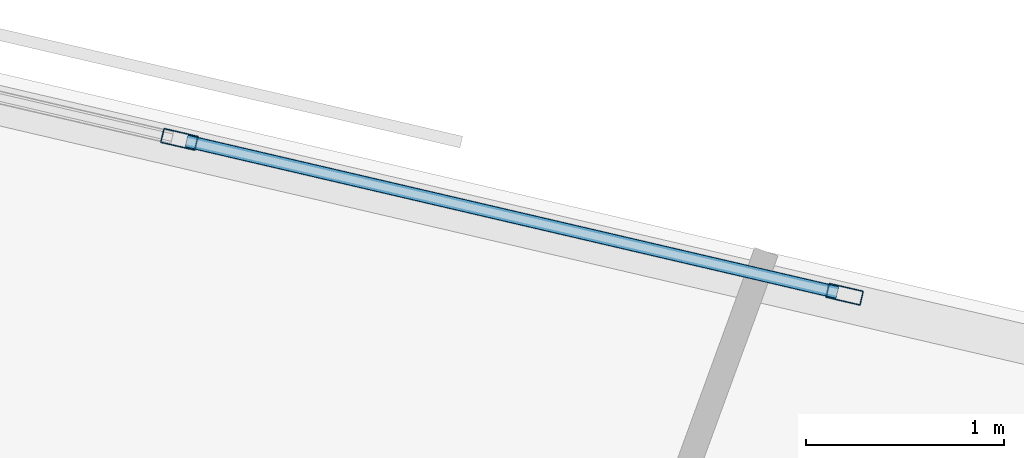
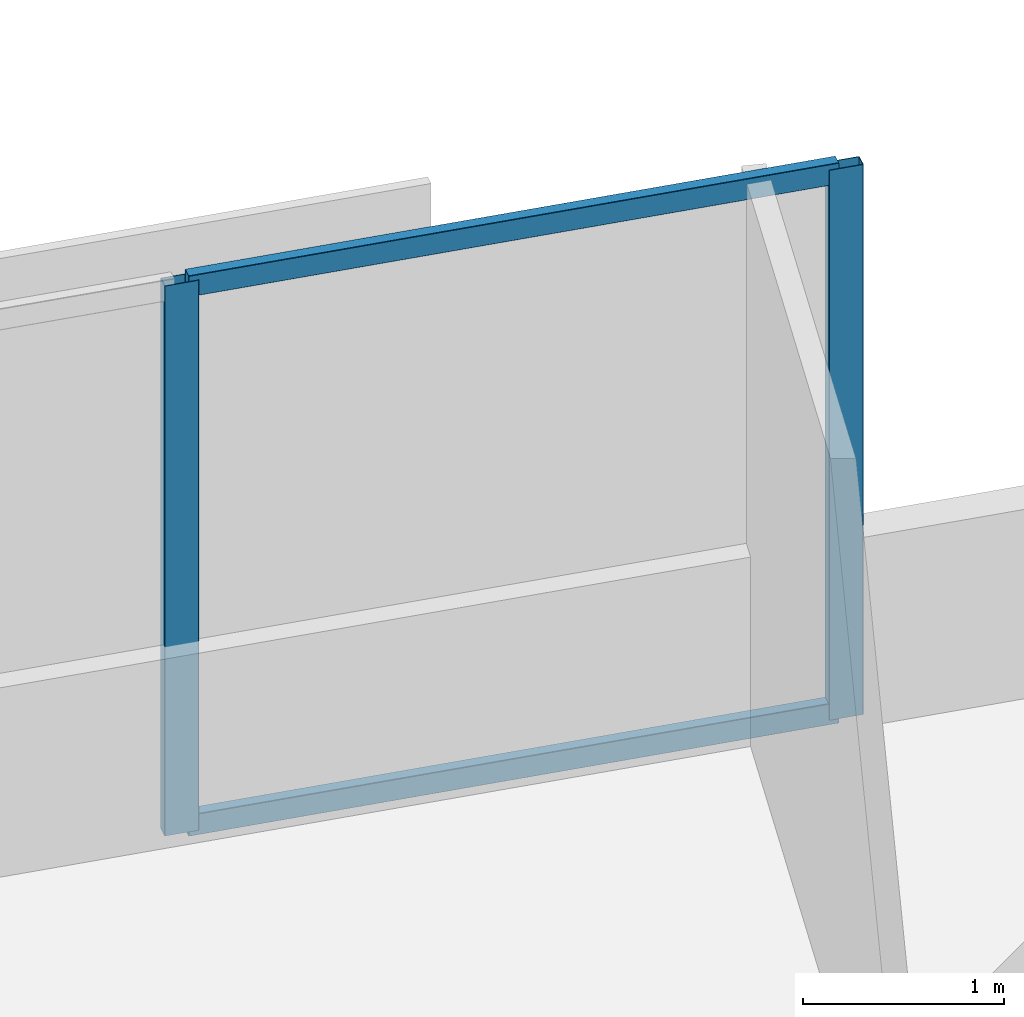
# One storey, part 2 of 14: 4 members, 1 element without a shape of its own.
"""IFC4 building model written with IfcOpenShell, lengths in metres."""

import ifcopenshell
import ifcopenshell.guid

model = None  # the IFC model being written
_history = None  # IfcOwnerHistory: only IFC2X3 demands one
_inside = {}  # id of a spatial element -> (the spatial element, [elements in it])
_under = {}  # id of a project, library or spatial element -> (it, [spatial elements below it])
_declared = {}  # id of a project -> (the project, [libraries it declares])
_typed = {}  # id of a type object -> (the type object, [elements of that type])
_made_of = {}  # id of a material, layer set ... -> (it, [elements and type objects made of it])


def new_model(schema):
    """Start an empty IFC model of exactly this schema.

    Asked for "IFC4X3", IfcOpenShell would pick the latest addendum, in which some entities
    have other attributes; the version numbers below select the first issue.
    IFC2X3 requires an IfcOwnerHistory on every rooted entity: one is made here for all.
    """
    global model, _history
    if schema == "IFC4X3":
        model = ifcopenshell.file(schema_version=(4, 3, 0, 0))
    else:
        model = ifcopenshell.file(schema=schema)
    _inside.clear()
    _under.clear()
    _declared.clear()
    _typed.clear()
    _made_of.clear()
    _history = None
    if model.schema == "IFC2X3":
        org = make("IfcOrganization", Name="unknown")
        user = make(
            "IfcPersonAndOrganization",
            ThePerson=make("IfcPerson", FamilyName="unknown"),
            TheOrganization=org,
        )
        app = make(
            "IfcApplication",
            ApplicationDeveloper=org,
            Version="unknown",
            ApplicationFullName="unknown",
            ApplicationIdentifier="unknown",
        )
        _history = make(
            "IfcOwnerHistory",
            OwningUser=user,
            OwningApplication=app,
            ChangeAction="ADDED",
            CreationDate=0,
        )
    return model


def make(cls, **values):
    """One entity of the class cls with the attributes given. An attribute that is None is left unset."""
    return model.create_entity(
        cls, **{name: value for name, value in values.items() if value is not None}
    )


def rooted(cls, **values):
    """An entity with a GlobalId (a new one), such as an element, a storey or a relation."""
    return make(cls, GlobalId=ifcopenshell.guid.new(), OwnerHistory=_history, **values)


def si_unit(unit_type, name, prefix=None):
    """IfcSIUnit, for example si_unit("LENGTHUNIT", "METRE", prefix="MILLI")."""
    return make("IfcSIUnit", UnitType=unit_type, Prefix=prefix, Name=name)


def assignment(units):
    """IfcUnitAssignment: the units of a project."""
    return None if units is None else make("IfcUnitAssignment", Units=units)


def point(xyz):
    """IfcCartesianPoint."""
    return None if xyz is None else make("IfcCartesianPoint", Coordinates=xyz)


def direction(xyz):
    """IfcDirection."""
    return None if xyz is None else make("IfcDirection", DirectionRatios=xyz)


def frame(location, z_axis=None, x_axis=None):
    """IfcAxis2Placement3D, a coordinate frame: its origin and axes. An axis left out is left unset."""
    return make(
        "IfcAxis2Placement3D",
        Location=point(location),
        Axis=direction(z_axis),
        RefDirection=direction(x_axis),
    )


def frame_2d(location, x_axis=None):
    """IfcAxis2Placement2D, a coordinate frame in the plane: its origin and x axis."""
    return make(
        "IfcAxis2Placement2D", Location=point(location), RefDirection=direction(x_axis)
    )


def origin():
    """The frame at (0, 0, 0) with its axes left unset."""
    return frame((0.0, 0.0, 0.0))


def origin_2d():
    """The frame at (0, 0) in the plane with its x axis left unset."""
    return frame_2d((0.0, 0.0))


def place(relative_to, where):
    """IfcLocalPlacement: puts the frame where relative to a parent placement (None: the world)."""
    return make(
        "IfcLocalPlacement", PlacementRelTo=relative_to, RelativePlacement=where
    )


def context(
    kind, dimensions, precision=None, world=None, true_north=None, identifier=None
):
    """IfcGeometricRepresentationContext, for example the 3D "Model" context."""
    return make(
        "IfcGeometricRepresentationContext",
        ContextIdentifier=identifier,
        ContextType=kind,
        CoordinateSpaceDimension=dimensions,
        Precision=precision,
        WorldCoordinateSystem=world,
        TrueNorth=true_north,
    )


def subcontext(parent, identifier, kind, view, scale=None):
    """IfcGeometricRepresentationSubContext, for example "Body" below "Model"."""
    return make(
        "IfcGeometricRepresentationSubContext",
        ContextIdentifier=identifier,
        ContextType=kind,
        ParentContext=parent,
        TargetScale=scale,
        TargetView=view,
    )


def project(units=None, contexts=None):
    """IfcProject with its units and contexts."""
    return rooted(
        "IfcProject",
        Name="project",
        RepresentationContexts=contexts,
        UnitsInContext=assignment(units),
    )


def spatial(cls, under=None, at=None, **own):
    """A site, building, storey or space (cls), placed at a placement, below another one or the project."""
    s = rooted(cls, ObjectPlacement=at, **own)
    if under is not None:
        _under.setdefault(under.id(), (under, []))[1].append(s)
    return s


def profile(cls, at=None, kind="AREA", **sizes):
    """A parametric profile (cls). Its sizes go by their IFC names, for example OverallWidth=200.0."""
    return make(cls, ProfileType=kind, Position=at, **sizes)


def hollow_rectangle(**sizes):
    """IfcRectangleHollowProfileDef."""
    return profile("IfcRectangleHollowProfileDef", **sizes)


def extrude(swept, where, along, depth):
    """IfcExtrudedAreaSolid: the profile swept, set in the frame where, extruded along a direction by depth."""
    return make(
        "IfcExtrudedAreaSolid",
        SweptArea=swept,
        Position=where,
        ExtrudedDirection=direction(along),
        Depth=depth,
    )


def shape(context_of_items, identifier, shape_type, items):
    """IfcShapeRepresentation: the items that make up one representation, for example the "Body"."""
    return make(
        "IfcShapeRepresentation",
        ContextOfItems=context_of_items,
        RepresentationIdentifier=identifier,
        RepresentationType=shape_type,
        Items=items,
    )


def material(Name=None, Category=None):
    """IfcMaterial."""
    return make("IfcMaterial", Name=Name, Category=Category)


def material_profile(
    of_material, cross_section, Name=None, Category=None, Priority=None
):
    """IfcMaterialProfile: a cross section and its material."""
    return make(
        "IfcMaterialProfile",
        Name=Name,
        Material=of_material,
        Profile=cross_section,
        Priority=Priority,
        Category=Category,
    )


def profile_set(profiles, Name=None, composite=None):
    """IfcMaterialProfileSet."""
    return make(
        "IfcMaterialProfileSet",
        Name=Name,
        MaterialProfiles=profiles,
        CompositeProfile=composite,
    )


def made_of(thing, what):
    """Note that an element or type object is made of a material, layer set ...; save() writes the relation."""
    if what is not None:
        _made_of.setdefault(what.id(), (what, []))[1].append(thing)
    return thing


def type_object(cls, material=None, **own):
    """A type object (cls), such as IfcWallType, which elements share."""
    return made_of(rooted(cls, **own), material)


def element(
    cls,
    number,
    at=None,
    inside=None,
    cuts=None,
    type_object=None,
    material=None,
    context=None,
    identifier="Body",
    shape_type=None,
    held_by="IfcProductDefinitionShape",
    body=None,
    shapes=None,
    **own,
):
    """One element of the class cls, such as IfcWall. Its Tag is "e" and its number.

    at: its placement. inside: the storey or other place that contains it. cuts: it is an
    opening in that element (IfcRelVoidsElement). A single representation is given by context,
    identifier, shape_type and body (its items); several are given by shapes. held_by: the class
    of the entity that holds the representations. save() writes the other relations.
    """
    e = rooted(cls, Tag="e%d" % number, ObjectPlacement=at, **own)
    if body is not None:
        shapes = [shape(context, identifier, shape_type, body)]
    if shapes is not None:
        e.Representation = make(held_by, Representations=shapes)
    if inside is not None:
        _inside.setdefault(inside.id(), (inside, []))[1].append(e)
    if cuts is not None:
        rooted(
            "IfcRelVoidsElement", RelatingBuildingElement=cuts, RelatedOpeningElement=e
        )
    if type_object is not None:
        _typed.setdefault(type_object.id(), (type_object, []))[1].append(e)
    return made_of(e, material)


def aggregate(whole, parts):
    """IfcRelAggregates: a whole, such as a stair, and the parts it consists of."""
    return rooted("IfcRelAggregates", RelatingObject=whole, RelatedObjects=parts)


def save(model, path):
    """Write the relations noted so far, then the file.

    IfcRelAggregates (storeys below a building ...), IfcRelContainedInSpatialStructure (elements
    in a storey), IfcRelDefinesByType, IfcRelAssociatesMaterial and IfcRelDeclares: one each for
    every whole, place, type object, material and project.
    """
    for whole, parts in _under.values():
        aggregate(whole, parts)
    for where, things in _inside.values():
        rooted(
            "IfcRelContainedInSpatialStructure",
            RelatedElements=things,
            RelatingStructure=where,
        )
    for kind, things in _typed.values():
        rooted("IfcRelDefinesByType", RelatedObjects=things, RelatingType=kind)
    for what, things in _made_of.values():
        rooted("IfcRelAssociatesMaterial", RelatedObjects=things, RelatingMaterial=what)
    for by, libraries in _declared.values():
        rooted("IfcRelDeclares", RelatingContext=by, RelatedDefinitions=libraries)
    model.write(path)


model = new_model("IFC4")

# Units and contexts
model_context = context("Model", 3, precision=1e-05, world=origin(), true_north=direction((0.0, 1.0)))
body_context = subcontext(model_context, "Body", "Model", "MODEL_VIEW")
ifc_project = project(units=[si_unit("LENGTHUNIT", "METRE"), si_unit("AREAUNIT", "SQUARE_METRE"), si_unit("VOLUMEUNIT", "CUBIC_METRE"), si_unit("PLANEANGLEUNIT", "RADIAN"), si_unit("MASSUNIT", "GRAM", prefix="KILO")], contexts=[model_context])

# Site, building, storey
site_placement = place(None, origin())
site = spatial("IfcSite", under=ifc_project, at=site_placement, CompositionType="ELEMENT")
building_placement = place(site_placement, origin())
building = spatial("IfcBuilding", under=site, at=building_placement, Name="Narakoshi Arena Tower", CompositionType="ELEMENT")
storey_placement = place(building_placement, frame((0.0, 0.0, 175.5)))
storey = spatial("IfcBuildingStorey", under=building, at=storey_placement, Name="L47", CompositionType="ELEMENT", Elevation=175.5)

# Curtain wall, members
ifc_material = material(Name="Anodised bronze aluminium 6063-T6", Category="aluminium")
curtain_wall_type = type_object("IfcCurtainWallType", Name="CW-HYP-MID", PredefinedType="NOTDEFINED", material=ifc_material)
curtain_wall_placement = place(storey_placement, origin())
curtain_wall = element("IfcCurtainWall", 1, at=curtain_wall_placement, inside=storey, type_object=curtain_wall_type, Name="L47 Folded Hypotenuse Curtain Wall 2-1", PredefinedType="NOTDEFINED")
ifc_material_profile_1 = material_profile(ifc_material, hollow_rectangle(XDim=0.074951171875, YDim=0.179931640625, WallThickness=0.00390625, OuterFilletRadius=0.0048828125, at=origin_2d()), Name="MUL180x75x4")
ifc_profile_set_1 = profile_set([ifc_material_profile_1], Name="Anodised bronze aluminium 6063-T6")
member_type_1 = type_object("IfcMemberType", Name="MEM-MUL-180", PredefinedType="MULLION", material=ifc_profile_set_1)
member_1_placement = place(storey_placement, frame((85.6767578125, 62.869384765625, 0.0), z_axis=(0.0, 0.0, 1.0), x_axis=(-0.226721182724, -0.973959704148, 0.0)))
member_1 = element("IfcMember", 2, at=member_1_placement, type_object=member_type_1, Name="CW-02 mullion 1", PredefinedType="MULLION", context=body_context, shape_type="SweptSolid", body=[
    extrude(hollow_rectangle(XDim=0.074951171875, YDim=0.179931640625, WallThickness=0.00390625, OuterFilletRadius=0.0048828125, at=origin_2d()), origin(), (0.0, 0.0, 1.0), 3.340087890625),
])
member_2_placement = place(storey_placement, frame((82.312255859375, 63.652587890625, 0.0), z_axis=(0.0, 0.0, 1.0), x_axis=(-0.226721182724, -0.973959704148, 0.0)))
member_2 = element("IfcMember", 3, at=member_2_placement, type_object=member_type_1, Name="CW-02 mullion 2", PredefinedType="MULLION", context=body_context, shape_type="SweptSolid", body=[
    extrude(hollow_rectangle(XDim=0.074951171875, YDim=0.179931640625, WallThickness=0.00390625, OuterFilletRadius=0.0048828125, at=origin_2d()), origin(), (0.0, 0.0, 1.0), 3.340087890625),
])
ifc_material_profile_2 = material_profile(ifc_material, hollow_rectangle(XDim=0.06494140625, YDim=0.1298828125, WallThickness=0.00390625, OuterFilletRadius=0.0048828125, at=origin_2d()), Name="TRN130x65x4")
ifc_profile_set_2 = profile_set([ifc_material_profile_2], Name="Anodised bronze aluminium 6063-T6")
member_type_2 = type_object("IfcMemberType", Name="MEM-TRN-130", PredefinedType="USERDEFINED", material=ifc_profile_set_2)
member_3_placement = place(storey_placement, frame((85.64013671875, 62.8779296875, 0.032470703125), z_axis=(-0.973946086847, 0.226779672622, 0.0), x_axis=(-0.226779672622, -0.973946086847, 0.0)))
member_3 = element("IfcMember", 4, at=member_3_placement, type_object=member_type_2, Name="CW-02 transom 1.1", ObjectType="TRANSOM", PredefinedType="USERDEFINED", context=body_context, shape_type="SweptSolid", body=[
    extrude(hollow_rectangle(XDim=0.06494140625, YDim=0.1298828125, WallThickness=0.00390625, OuterFilletRadius=0.0048828125, at=origin_2d()), origin(), (0.0, 0.0, 1.0), 3.37939453125),
])
member_4_placement = place(storey_placement, frame((85.64013671875, 62.8779296875, 3.3076171875), z_axis=(-0.973946086847, 0.226779672622, 0.0), x_axis=(-0.226779672622, -0.973946086847, 0.0)))
member_4 = element("IfcMember", 5, at=member_4_placement, type_object=member_type_2, Name="CW-02 transom 1.2", ObjectType="TRANSOM", PredefinedType="USERDEFINED", context=body_context, shape_type="SweptSolid", body=[
    extrude(hollow_rectangle(XDim=0.06494140625, YDim=0.1298828125, WallThickness=0.00390625, OuterFilletRadius=0.0048828125, at=origin_2d()), origin(), (0.0, 0.0, 1.0), 3.37939453125),
])
aggregate(curtain_wall, [member_1, member_2, member_3, member_4])

save(model, "model.ifc")
